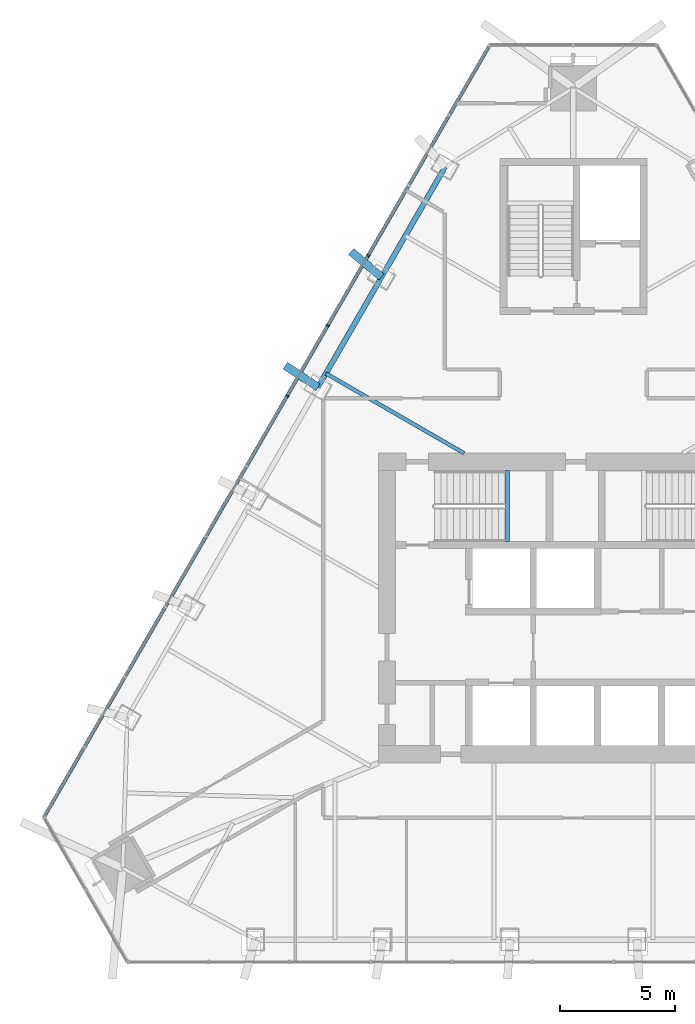
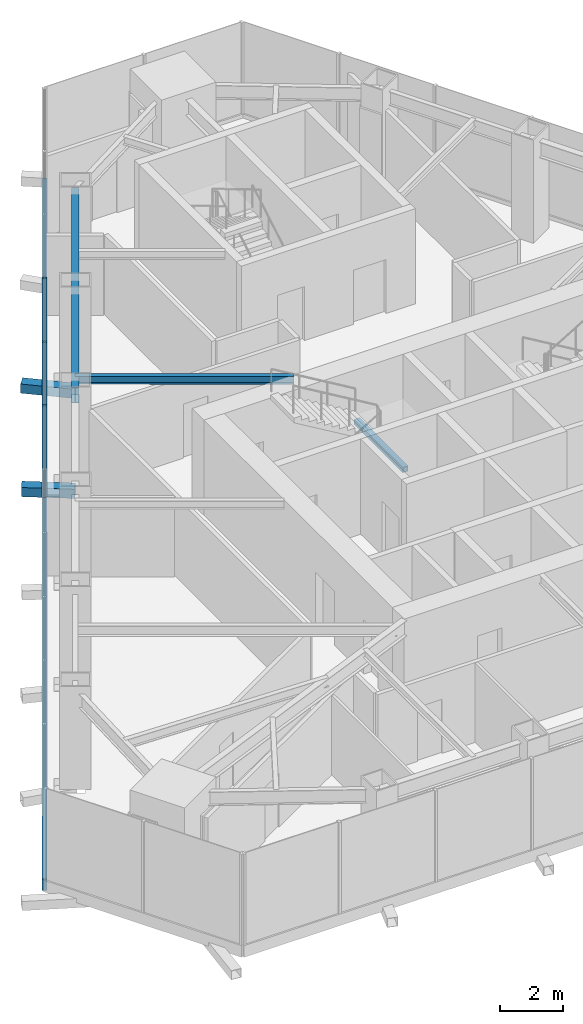
# One storey, part 5 of 14: 6 members, 3 beams, 1 element without a shape of its own.
"""IFC4 building model written with IfcOpenShell, lengths in metres."""

import ifcopenshell
import ifcopenshell.guid

model = None  # the IFC model being written
_history = None  # IfcOwnerHistory: only IFC2X3 demands one
_inside = {}  # id of a spatial element -> (the spatial element, [elements in it])
_under = {}  # id of a project, library or spatial element -> (it, [spatial elements below it])
_declared = {}  # id of a project -> (the project, [libraries it declares])
_typed = {}  # id of a type object -> (the type object, [elements of that type])
_made_of = {}  # id of a material, layer set ... -> (it, [elements and type objects made of it])


def new_model(schema):
    """Start an empty IFC model of exactly this schema.

    Asked for "IFC4X3", IfcOpenShell would pick the latest addendum, in which some entities
    have other attributes; the version numbers below select the first issue.
    IFC2X3 requires an IfcOwnerHistory on every rooted entity: one is made here for all.
    """
    global model, _history
    if schema == "IFC4X3":
        model = ifcopenshell.file(schema_version=(4, 3, 0, 0))
    else:
        model = ifcopenshell.file(schema=schema)
    _inside.clear()
    _under.clear()
    _declared.clear()
    _typed.clear()
    _made_of.clear()
    _history = None
    if model.schema == "IFC2X3":
        org = make("IfcOrganization", Name="unknown")
        user = make(
            "IfcPersonAndOrganization",
            ThePerson=make("IfcPerson", FamilyName="unknown"),
            TheOrganization=org,
        )
        app = make(
            "IfcApplication",
            ApplicationDeveloper=org,
            Version="unknown",
            ApplicationFullName="unknown",
            ApplicationIdentifier="unknown",
        )
        _history = make(
            "IfcOwnerHistory",
            OwningUser=user,
            OwningApplication=app,
            ChangeAction="ADDED",
            CreationDate=0,
        )
    return model


def make(cls, **values):
    """One entity of the class cls with the attributes given. An attribute that is None is left unset."""
    return model.create_entity(
        cls, **{name: value for name, value in values.items() if value is not None}
    )


def rooted(cls, **values):
    """An entity with a GlobalId (a new one), such as an element, a storey or a relation."""
    return make(cls, GlobalId=ifcopenshell.guid.new(), OwnerHistory=_history, **values)


def si_unit(unit_type, name, prefix=None):
    """IfcSIUnit, for example si_unit("LENGTHUNIT", "METRE", prefix="MILLI")."""
    return make("IfcSIUnit", UnitType=unit_type, Prefix=prefix, Name=name)


def assignment(units):
    """IfcUnitAssignment: the units of a project."""
    return None if units is None else make("IfcUnitAssignment", Units=units)


def point(xyz):
    """IfcCartesianPoint."""
    return None if xyz is None else make("IfcCartesianPoint", Coordinates=xyz)


def direction(xyz):
    """IfcDirection."""
    return None if xyz is None else make("IfcDirection", DirectionRatios=xyz)


def frame(location, z_axis=None, x_axis=None):
    """IfcAxis2Placement3D, a coordinate frame: its origin and axes. An axis left out is left unset."""
    return make(
        "IfcAxis2Placement3D",
        Location=point(location),
        Axis=direction(z_axis),
        RefDirection=direction(x_axis),
    )


def frame_2d(location, x_axis=None):
    """IfcAxis2Placement2D, a coordinate frame in the plane: its origin and x axis."""
    return make(
        "IfcAxis2Placement2D", Location=point(location), RefDirection=direction(x_axis)
    )


def origin():
    """The frame at (0, 0, 0) with its axes left unset."""
    return frame((0.0, 0.0, 0.0))


def origin_2d():
    """The frame at (0, 0) in the plane with its x axis left unset."""
    return frame_2d((0.0, 0.0))


def place(relative_to, where):
    """IfcLocalPlacement: puts the frame where relative to a parent placement (None: the world)."""
    return make(
        "IfcLocalPlacement", PlacementRelTo=relative_to, RelativePlacement=where
    )


def context(
    kind, dimensions, precision=None, world=None, true_north=None, identifier=None
):
    """IfcGeometricRepresentationContext, for example the 3D "Model" context."""
    return make(
        "IfcGeometricRepresentationContext",
        ContextIdentifier=identifier,
        ContextType=kind,
        CoordinateSpaceDimension=dimensions,
        Precision=precision,
        WorldCoordinateSystem=world,
        TrueNorth=true_north,
    )


def subcontext(parent, identifier, kind, view, scale=None):
    """IfcGeometricRepresentationSubContext, for example "Body" below "Model"."""
    return make(
        "IfcGeometricRepresentationSubContext",
        ContextIdentifier=identifier,
        ContextType=kind,
        ParentContext=parent,
        TargetScale=scale,
        TargetView=view,
    )


def project(units=None, contexts=None):
    """IfcProject with its units and contexts."""
    return rooted(
        "IfcProject",
        Name="project",
        RepresentationContexts=contexts,
        UnitsInContext=assignment(units),
    )


def spatial(cls, under=None, at=None, **own):
    """A site, building, storey or space (cls), placed at a placement, below another one or the project."""
    s = rooted(cls, ObjectPlacement=at, **own)
    if under is not None:
        _under.setdefault(under.id(), (under, []))[1].append(s)
    return s


def profile(cls, at=None, kind="AREA", **sizes):
    """A parametric profile (cls). Its sizes go by their IFC names, for example OverallWidth=200.0."""
    return make(cls, ProfileType=kind, Position=at, **sizes)


def rectangle(**sizes):
    """IfcRectangleProfileDef."""
    return profile("IfcRectangleProfileDef", **sizes)


def hollow_rectangle(**sizes):
    """IfcRectangleHollowProfileDef."""
    return profile("IfcRectangleHollowProfileDef", **sizes)


def i_section(**sizes):
    """IfcIShapeProfileDef."""
    return profile("IfcIShapeProfileDef", **sizes)


def extrude(swept, where, along, depth):
    """IfcExtrudedAreaSolid: the profile swept, set in the frame where, extruded along a direction by depth."""
    return make(
        "IfcExtrudedAreaSolid",
        SweptArea=swept,
        Position=where,
        ExtrudedDirection=direction(along),
        Depth=depth,
    )


def shape(context_of_items, identifier, shape_type, items):
    """IfcShapeRepresentation: the items that make up one representation, for example the "Body"."""
    return make(
        "IfcShapeRepresentation",
        ContextOfItems=context_of_items,
        RepresentationIdentifier=identifier,
        RepresentationType=shape_type,
        Items=items,
    )


def material(Name=None, Category=None):
    """IfcMaterial."""
    return make("IfcMaterial", Name=Name, Category=Category)


def layer(
    of_material, thickness, ventilated=None, Name=None, Category=None, Priority=None
):
    """IfcMaterialLayer: one layer of a wall or slab, of a material (None: an air gap)."""
    return make(
        "IfcMaterialLayer",
        Material=of_material,
        LayerThickness=thickness,
        IsVentilated=ventilated,
        Name=Name,
        Category=Category,
        Priority=Priority,
    )


def layer_set(layers, Name=None):
    """IfcMaterialLayerSet."""
    return make("IfcMaterialLayerSet", MaterialLayers=layers, LayerSetName=Name)


def material_profile(
    of_material, cross_section, Name=None, Category=None, Priority=None
):
    """IfcMaterialProfile: a cross section and its material."""
    return make(
        "IfcMaterialProfile",
        Name=Name,
        Material=of_material,
        Profile=cross_section,
        Priority=Priority,
        Category=Category,
    )


def profile_set(profiles, Name=None, composite=None):
    """IfcMaterialProfileSet."""
    return make(
        "IfcMaterialProfileSet",
        Name=Name,
        MaterialProfiles=profiles,
        CompositeProfile=composite,
    )


def made_of(thing, what):
    """Note that an element or type object is made of a material, layer set ...; save() writes the relation."""
    if what is not None:
        _made_of.setdefault(what.id(), (what, []))[1].append(thing)
    return thing


def type_object(cls, material=None, **own):
    """A type object (cls), such as IfcWallType, which elements share."""
    return made_of(rooted(cls, **own), material)


def element(
    cls,
    number,
    at=None,
    inside=None,
    cuts=None,
    type_object=None,
    material=None,
    context=None,
    identifier="Body",
    shape_type=None,
    held_by="IfcProductDefinitionShape",
    body=None,
    shapes=None,
    **own,
):
    """One element of the class cls, such as IfcWall. Its Tag is "e" and its number.

    at: its placement. inside: the storey or other place that contains it. cuts: it is an
    opening in that element (IfcRelVoidsElement). A single representation is given by context,
    identifier, shape_type and body (its items); several are given by shapes. held_by: the class
    of the entity that holds the representations. save() writes the other relations.
    """
    e = rooted(cls, Tag="e%d" % number, ObjectPlacement=at, **own)
    if body is not None:
        shapes = [shape(context, identifier, shape_type, body)]
    if shapes is not None:
        e.Representation = make(held_by, Representations=shapes)
    if inside is not None:
        _inside.setdefault(inside.id(), (inside, []))[1].append(e)
    if cuts is not None:
        rooted(
            "IfcRelVoidsElement", RelatingBuildingElement=cuts, RelatedOpeningElement=e
        )
    if type_object is not None:
        _typed.setdefault(type_object.id(), (type_object, []))[1].append(e)
    return made_of(e, material)


def aggregate(whole, parts):
    """IfcRelAggregates: a whole, such as a stair, and the parts it consists of."""
    return rooted("IfcRelAggregates", RelatingObject=whole, RelatedObjects=parts)


def save(model, path):
    """Write the relations noted so far, then the file.

    IfcRelAggregates (storeys below a building ...), IfcRelContainedInSpatialStructure (elements
    in a storey), IfcRelDefinesByType, IfcRelAssociatesMaterial and IfcRelDeclares: one each for
    every whole, place, type object, material and project.
    """
    for whole, parts in _under.values():
        aggregate(whole, parts)
    for where, things in _inside.values():
        rooted(
            "IfcRelContainedInSpatialStructure",
            RelatedElements=things,
            RelatingStructure=where,
        )
    for kind, things in _typed.values():
        rooted("IfcRelDefinesByType", RelatedObjects=things, RelatingType=kind)
    for what, things in _made_of.values():
        rooted("IfcRelAssociatesMaterial", RelatedObjects=things, RelatingMaterial=what)
    for by, libraries in _declared.values():
        rooted("IfcRelDeclares", RelatingContext=by, RelatedDefinitions=libraries)
    model.write(path)


model = new_model("IFC4")

# Units and contexts
model_context = context("Model", 3, precision=1e-05, world=origin(), true_north=direction((0.0, 1.0)))
body_context = subcontext(model_context, "Body", "Model", "MODEL_VIEW")
ifc_project = project(units=[si_unit("LENGTHUNIT", "METRE"), si_unit("AREAUNIT", "SQUARE_METRE"), si_unit("VOLUMEUNIT", "CUBIC_METRE"), si_unit("PLANEANGLEUNIT", "RADIAN"), si_unit("MASSUNIT", "GRAM", prefix="KILO")], contexts=[model_context])

# Site, building, storey
site_placement = place(None, origin())
site = spatial("IfcSite", under=ifc_project, at=site_placement, CompositionType="ELEMENT")
building_placement = place(site_placement, origin())
building = spatial("IfcBuilding", under=site, at=building_placement, Name="Firuza Gate Tower and Library", CompositionType="ELEMENT")
storey_placement = place(building_placement, frame((0.0, 0.0, 331.60009765625)))
storey = spatial("IfcBuildingStorey", under=building, at=storey_placement, Name="L81", CompositionType="ELEMENT", Elevation=331.60009765625)

# Curtain wall, members
ifc_material_1 = material(Name="Aluminium 6063-T6", Category="aluminium")
ifc_layer = layer(ifc_material_1, 0.14990234375)
ifc_layer_set = layer_set([ifc_layer], Name="Ceramic screen wall, crown plant")
curtain_wall_type = type_object("IfcCurtainWallType", Name="Ceramic screen wall, crown plant", PredefinedType="NOTDEFINED", material=ifc_layer_set)
curtain_wall_placement = place(storey_placement, origin())
curtain_wall = element("IfcCurtainWall", 1, at=curtain_wall_placement, inside=storey, type_object=curtain_wall_type, Name="CW6 L81 W", PredefinedType="NOTDEFINED")
ifc_material_2 = material(Name="Aluminium 6063-T6", Category="aluminium")
ifc_material_profile_1 = material_profile(ifc_material_2, rectangle(XDim=0.14990234375, YDim=0.080078125, at=origin_2d()))
ifc_profile_set_1 = profile_set([ifc_material_profile_1], Name="Aluminium 6063-T6")
member_type_1 = type_object("IfcMemberType", Name="Curtain wall mullion 80x150", PredefinedType="MULLION", material=ifc_profile_set_1)
member_1_placement = place(storey_placement, frame((66.053955078125, 90.3701171875, 0.14990234375), z_axis=(0.0, 0.0, 1.0), x_axis=(0.866025403784, -0.5, 0.0)))
member_1 = element("IfcMember", 2, at=member_1_placement, type_object=member_type_1, Name="Mullion", PredefinedType="MULLION", context=body_context, shape_type="SweptSolid", body=[
    extrude(rectangle(XDim=0.14990234375, YDim=0.080078125, at=origin_2d()), origin(), (0.0, 0.0, 1.0), 3.550048828125),
])
member_2_placement = place(storey_placement, frame((64.286376953125, 87.30859375, 0.14990234375), z_axis=(0.0, 0.0, 1.0), x_axis=(0.866025403784, -0.5, 0.0)))
member_2 = element("IfcMember", 3, at=member_2_placement, type_object=member_type_1, Name="Mullion", PredefinedType="MULLION", context=body_context, shape_type="SweptSolid", body=[
    extrude(rectangle(XDim=0.14990234375, YDim=0.080078125, at=origin_2d()), origin(), (0.0, 0.0, 1.0), 3.550048828125),
])
member_3_placement = place(storey_placement, frame((62.518798828125, 84.2470703125, 0.14990234375), z_axis=(0.0, 0.0, 1.0), x_axis=(0.866025403784, -0.5, 0.0)))
member_3 = element("IfcMember", 4, at=member_3_placement, type_object=member_type_1, Name="Mullion", PredefinedType="MULLION", context=body_context, shape_type="SweptSolid", body=[
    extrude(rectangle(XDim=0.14990234375, YDim=0.080078125, at=origin_2d()), origin(), (0.0, 0.0, 1.0), 3.550048828125),
])
ifc_material_3 = material(Name="Aluminium 6063-T6", Category="aluminium")
ifc_material_profile_2 = material_profile(ifc_material_3, rectangle(XDim=0.14990234375, YDim=0.449951171875, at=origin_2d()))
ifc_profile_set_2 = profile_set([ifc_material_profile_2], Name="Aluminium 6063-T6")
member_type_2 = type_object("IfcMemberType", Name="Curtain wall transom 450x150", PredefinedType="USERDEFINED", material=ifc_profile_set_2)
member_4_placement = place(storey_placement, frame((71.356689453125, 99.5546875, -0.0751953125), z_axis=(-0.500001430823, -0.866024577697, 0.0), x_axis=(0.866024577697, -0.500001430823, 0.0)))
member_4 = element("IfcMember", 5, at=member_4_placement, type_object=member_type_2, Name="Transom", ObjectType="TRANSOM", PredefinedType="USERDEFINED", context=body_context, shape_type="SweptSolid", body=[
    extrude(rectangle(XDim=0.14990234375, YDim=0.449951171875, at=origin_2d()), origin(), (0.0, 0.0, 1.0), 38.88671875),
])
aggregate(curtain_wall, [member_1, member_2, member_3, member_4])

# Members
ifc_material_4 = material(Name="Steel S355", Category="steel")
ifc_material_profile_3 = material_profile(ifc_material_4, hollow_rectangle(XDim=0.355712890625, YDim=0.355712890625, WallThickness=0.014892578125, at=origin_2d()))
ifc_profile_set_3 = profile_set([ifc_material_profile_3], Name="Steel S355")
member_type_3 = type_object("IfcMemberType", Name="HSS356x356x16 Lattice node tie", PredefinedType="BRACE", material=ifc_profile_set_3)
member_5_placement = place(storey_placement, frame((63.865234375, 84.62890625, -0.320068359375), z_axis=(-0.835178864711, 0.549978421341, 0.0), x_axis=(-0.549978421341, -0.835178864711, 0.0)))
element("IfcMember", 6, at=member_5_placement, inside=storey, type_object=member_type_3, Name="Lattice node tie W L81 621", PredefinedType="BRACE", context=body_context, shape_type="SweptSolid", body=[
    extrude(hollow_rectangle(XDim=0.355712890625, YDim=0.355712890625, WallThickness=0.014892578125, at=origin_2d()), origin(), (0.0, 0.0, 1.0), 1.70947265625),
])
member_6_placement = place(storey_placement, frame((66.636474609375, 89.42919921875, -0.320068359375), z_axis=(-0.765732618978, 0.643159044275, 0.0), x_axis=(-0.643159044275, -0.765732618978, 0.0)))
element("IfcMember", 7, at=member_6_placement, inside=storey, type_object=member_type_3, Name="Lattice node tie W L81 622", PredefinedType="BRACE", context=body_context, shape_type="SweptSolid", body=[
    extrude(hollow_rectangle(XDim=0.355712890625, YDim=0.355712890625, WallThickness=0.014892578125, at=origin_2d()), origin(), (0.0, 0.0, 1.0), 1.73291015625),
])

# Beams
ifc_material_5 = material(Name="Concrete C35/45", Category="concrete")
ifc_material_profile_4 = material_profile(ifc_material_5, rectangle(XDim=0.199951171875, YDim=0.199951171875, at=origin_2d()))
ifc_profile_set_4 = profile_set([ifc_material_profile_4], Name="Concrete C35/45")
beam_type_1 = type_object("IfcBeamType", Name="Stair landing bearer 200x200", PredefinedType="BEAM", material=ifc_profile_set_4)
beam_1_placement = place(storey_placement, frame((72.1201171875, 77.89990234375, 1.699951171875), z_axis=(0.0, 1.0, 0.0), x_axis=(-1.0, 0.0, 0.0)))
element("IfcBeam", 8, at=beam_1_placement, inside=storey, type_object=beam_type_1, Name="Landing bearer L81 stair 1", PredefinedType="BEAM", context=body_context, shape_type="SweptSolid", body=[
    extrude(rectangle(XDim=0.199951171875, YDim=0.199951171875, at=origin_2d()), origin(), (0.0, 0.0, 1.0), 3.10009765625),
])
ifc_material_6 = material(Name="Steel S355", Category="steel")
ifc_material_profile_5 = material_profile(ifc_material_6, i_section(OverallWidth=0.1650390625, OverallDepth=0.31005859375, WebThickness=0.005859375, FlangeThickness=0.009765625, at=origin_2d()))
ifc_profile_set_5 = profile_set([ifc_material_profile_5], Name="Steel S355")
beam_type_2 = type_object("IfcBeamType", Name="W310x39 Floor beam", PredefinedType="JOIST", material=ifc_profile_set_5)
beam_2_placement = place(storey_placement, frame((64.211669921875, 85.22900390625, 3.544921875), z_axis=(0.866019052629, -0.500011000363, 0.0), x_axis=(0.500011000363, 0.866019052629, 0.0)))
element("IfcBeam", 9, at=beam_2_placement, inside=storey, type_object=beam_type_2, Name="Floor beam L81 s81", PredefinedType="JOIST", context=body_context, shape_type="SweptSolid", body=[
    extrude(i_section(OverallWidth=0.1650390625, OverallDepth=0.31005859375, WebThickness=0.005859375, FlangeThickness=0.009765625, at=origin_2d()), origin(), (0.0, 0.0, 1.0), 6.957763671875),
])
ifc_material_7 = material(Name="Steel S355", Category="steel")
ifc_material_profile_6 = material_profile(ifc_material_7, i_section(OverallWidth=0.22900390625, OverallDepth=0.612060546875, WebThickness=0.011962890625, FlangeThickness=0.01953125, at=origin_2d()))
ifc_profile_set_6 = profile_set([ifc_material_profile_6], Name="Steel S355")
beam_type_3 = type_object("IfcBeamType", Name="W610x125 Edge beam", PredefinedType="SPANDREL", material=ifc_profile_set_6)
beam_3_placement = place(storey_placement, frame((69.407958984375, 94.2294921875, 3.393798828125), z_axis=(-0.499988074738, -0.866032288728, 0.0), x_axis=(0.866032288728, -0.499988074738, 0.0)))
element("IfcBeam", 10, at=beam_3_placement, inside=storey, type_object=beam_type_3, Name="Edge beam L81 e80", PredefinedType="SPANDREL", context=body_context, shape_type="SweptSolid", body=[
    extrude(i_section(OverallWidth=0.22900390625, OverallDepth=0.612060546875, WebThickness=0.011962890625, FlangeThickness=0.01953125, at=origin_2d()), origin(), (0.0, 0.0, 1.0), 11.085693359375),
])

save(model, "model.ifc")
